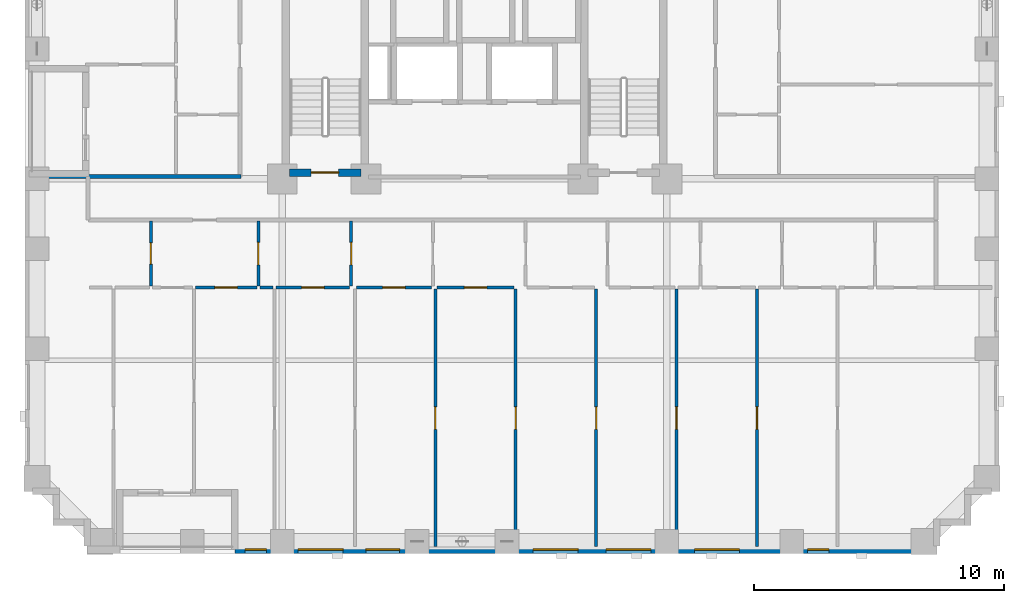
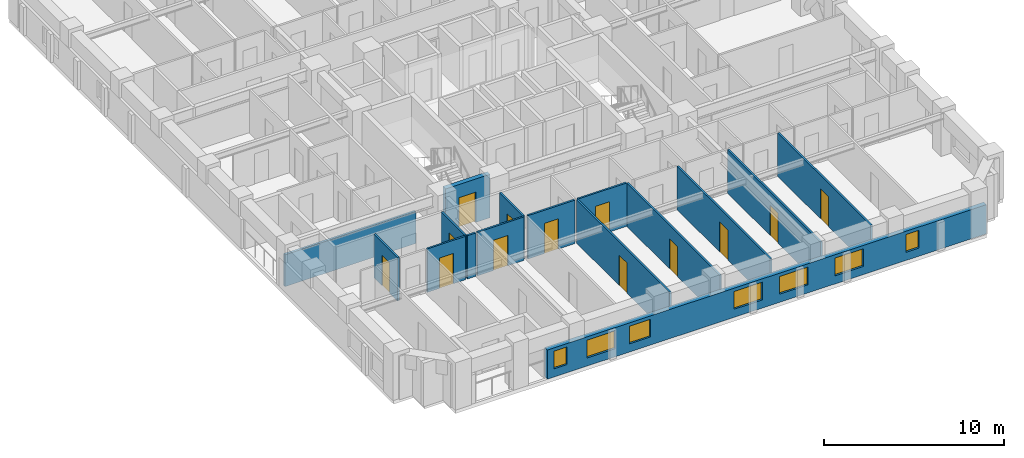
# One storey, part 3 of 14: 16 walls, 13 doors, 7 windows, 20 openings.
"""IFC4 building model written with IfcOpenShell, lengths in metres."""

from ifc_helpers import new_model, si_unit, derived_unit, direction, frame, frame_2d, origin, place, context, subcontext, project, spatial, rectangle, extrude, material, layer, layer_set, type_object, element, fill, save


model = new_model("IFC4")

# Units and contexts
model_context = context("Model", 3, precision=1e-05, world=origin(), true_north=direction((0.0, 1.0)))
body_context = subcontext(model_context, "Body", "Model", "MODEL_VIEW")
ifc_project = project(units=[si_unit("LENGTHUNIT", "METRE"), si_unit("AREAUNIT", "SQUARE_METRE"), si_unit("VOLUMEUNIT", "CUBIC_METRE"), si_unit("PLANEANGLEUNIT", "RADIAN"), si_unit("MASSUNIT", "GRAM", prefix="KILO"), derived_unit("THERMALTRANSMITTANCEUNIT", [(si_unit("MASSUNIT", "GRAM", prefix="KILO"), 1), (si_unit("TIMEUNIT", "SECOND"), -3), (si_unit("THERMODYNAMICTEMPERATUREUNIT", "KELVIN"), -1)])], contexts=[model_context])

# Site, building, storey
site_placement = place(None, origin())
site = spatial("IfcSite", under=ifc_project, at=site_placement, CompositionType="ELEMENT")
building_placement = place(site_placement, origin())
building = spatial("IfcBuilding", under=site, at=building_placement, Name="Korrvale Station Residences", CompositionType="ELEMENT")
storey_placement = place(building_placement, frame((0.0, 0.0, 29.0)))
storey = spatial("IfcBuildingStorey", under=building, at=storey_placement, Name="L06", CompositionType="ELEMENT", Elevation=29.0)

# Wall, opening, door
ifc_material_1 = material(Name="Concrete C70/85", Category="concrete")
ifc_layer_1 = layer(ifc_material_1, 0.300048828125, Name="Concrete C70/85")
ifc_layer_set_1 = layer_set([ifc_layer_1], Name="Concrete C70/85")
wall_type_1 = type_object("IfcWallType", Name="WAL-CORE-300-C70", PredefinedType="SHEAR", material=ifc_layer_set_1)
wall_1_placement = place(storey_placement, frame((18.10009765625, 15.25, 0.0), z_axis=(0.0, 0.0, 1.0), x_axis=(1.0, 0.0, 0.0)))
wall_1 = element("IfcWall", 1, at=wall_1_placement, inside=storey, type_object=wall_type_1, Name="L06 ST-1 Core Shear Wall South", PredefinedType="SHEAR", context=body_context, shape_type="SweptSolid", body=[
    extrude(rectangle(XDim=2.849853515625, YDim=0.300048828125, at=frame_2d((1.4248046875, 0.0))), origin(), (0.0, 0.0, 1.0), 2.93994140625),
])
opening_1_placement = place(wall_1_placement, frame((0.860107421875, 0.0, 0.0)))
opening_1 = element("IfcOpeningElement", 2, at=opening_1_placement, cuts=wall_1, Name="Opening SD-1100", PredefinedType="OPENING", context=body_context, shape_type="SweptSolid", body=[
    extrude(rectangle(XDim=1.10009765625, YDim=2.050048828125, at=frame_2d((0.550048828125, 1.02490234375))), frame((0.0, 0.16015625, 0.0), z_axis=(0.0, -1.0, 0.0), x_axis=(1.0, 0.0, 0.0)), (0.0, 0.0, 1.0), 0.320068359375),
])
ifc_material_2 = material(Name="Hollow-metal fire-rated stair door with closer", Category="steel")
door_type_1 = type_object("IfcDoorType", Name="DR-STAIR-1100", OperationType="NOTDEFINED", PredefinedType="DOOR", material=ifc_material_2)
door_1_placement = place(opening_1_placement, origin())
door_1 = element("IfcDoor", 3, at=door_1_placement, inside=storey, type_object=door_type_1, Name="L06 ST-1 Exit Stair Door", OperationType="SINGLE_SWING_LEFT", OverallHeight=2.050048828125, OverallWidth=1.10009765625, PredefinedType="DOOR", context=body_context, shape_type="SweptSolid", body=[
    extrude(rectangle(XDim=1.10009765625, YDim=2.050048828125, at=frame_2d((0.550048828125, 1.02490234375))), frame((0.0, 0.02490234375, 0.0), z_axis=(0.0, -1.0, 0.0), x_axis=(1.0, 0.0, 0.0)), (0.0, 0.0, 1.0), 0.050048828125),
])
fill(opening_1, door_1)

# Wall, openings, windows
ifc_material_3 = material(Name="Precast concrete C45/55", Category="concrete")
ifc_layer_2 = layer(ifc_material_3, 0.300048828125, Name="Precast concrete C45/55")
ifc_layer_set_2 = layer_set([ifc_layer_2], Name="Precast concrete C45/55")
wall_type_2 = type_object("IfcWallType", Name="WAL-EXT-PC300", PredefinedType="SOLIDWALL", material=ifc_layer_set_2)
wall_2_placement = place(storey_placement, frame((44.0, 0.14990234375, 0.0), z_axis=(0.0, 0.0, 1.0), x_axis=(-1.0, 0.0, 0.0)))
wall_2 = element("IfcWall", 4, at=wall_2_placement, inside=storey, type_object=wall_type_2, Name="L06 South Exterior Precast Wall 1", PredefinedType="SOLIDWALL", context=body_context, shape_type="SweptSolid", body=[
    extrude(rectangle(XDim=28.10009765625, YDim=0.300048828125, at=frame_2d((14.050048828125, 0.0))), origin(), (0.0, 0.0, 1.0), 1.97509765625),
])
opening_2_placement = place(wall_2_placement, frame((26.8349609375, 0.0, 0.550048828125)))
opening_2 = element("IfcOpeningElement", 5, at=opening_2_placement, cuts=wall_2, Name="Opening W-11", PredefinedType="OPENING", context=body_context, shape_type="SweptSolid", body=[
    extrude(rectangle(XDim=0.85009765625, YDim=1.199951171875, at=frame_2d((0.425048828125, 0.60009765625))), frame((0.0, 0.16015625, 0.0), z_axis=(0.0, -1.0, 0.0), x_axis=(1.0, 0.0, 0.0)), (0.0, 0.0, 1.0), 0.320068359375),
])
opening_3_placement = place(wall_2_placement, frame((23.764892578125, 0.0, 0.550048828125)))
opening_3 = element("IfcOpeningElement", 6, at=opening_3_placement, cuts=wall_2, Name="Opening W-09", PredefinedType="OPENING", context=body_context, shape_type="SweptSolid", body=[
    extrude(rectangle(XDim=1.800048828125, YDim=1.199951171875, at=frame_2d((0.89990234375, 0.60009765625))), frame((0.0, 0.16015625, 0.0), z_axis=(0.0, -1.0, 0.0), x_axis=(1.0, 0.0, 0.0)), (0.0, 0.0, 1.0), 0.320068359375),
])
opening_4_placement = place(wall_2_placement, frame((21.5, 0.0, 0.550048828125)))
opening_4 = element("IfcOpeningElement", 7, at=opening_4_placement, cuts=wall_2, Name="Opening W-10", PredefinedType="OPENING", context=body_context, shape_type="SweptSolid", body=[
    extrude(rectangle(XDim=1.35009765625, YDim=1.199951171875, at=frame_2d((0.675048828125, 0.60009765625))), frame((0.0, 0.16015625, 0.0), z_axis=(0.0, -1.0, 0.0), x_axis=(1.0, 0.0, 0.0)), (0.0, 0.0, 1.0), 0.320068359375),
])
opening_5_placement = place(wall_2_placement, frame((14.35205078125, 0.0, 0.550048828125)))
opening_5 = element("IfcOpeningElement", 8, at=opening_5_placement, cuts=wall_2, Name="Opening W-09", PredefinedType="OPENING", context=body_context, shape_type="SweptSolid", body=[
    extrude(rectangle(XDim=1.800048828125, YDim=1.199951171875, at=frame_2d((0.89990234375, 0.60009765625))), frame((0.0, 0.16015625, 0.0), z_axis=(0.0, -1.0, 0.0), x_axis=(1.0, 0.0, 0.0)), (0.0, 0.0, 1.0), 0.320068359375),
])
opening_6_placement = place(wall_2_placement, frame((11.43505859375, 0.0, 0.550048828125)))
opening_6 = element("IfcOpeningElement", 9, at=opening_6_placement, cuts=wall_2, Name="Opening W-09", PredefinedType="OPENING", context=body_context, shape_type="SweptSolid", body=[
    extrude(rectangle(XDim=1.800048828125, YDim=1.199951171875, at=frame_2d((0.89990234375, 0.60009765625))), frame((0.0, 0.16015625, 0.0), z_axis=(0.0, -1.0, 0.0), x_axis=(1.0, 0.0, 0.0)), (0.0, 0.0, 1.0), 0.320068359375),
])
opening_7_placement = place(wall_2_placement, frame((7.89111328125, 0.0, 0.550048828125)))
opening_7 = element("IfcOpeningElement", 10, at=opening_7_placement, cuts=wall_2, Name="Opening W-09", PredefinedType="OPENING", context=body_context, shape_type="SweptSolid", body=[
    extrude(rectangle(XDim=1.800048828125, YDim=1.199951171875, at=frame_2d((0.89990234375, 0.60009765625))), frame((0.0, 0.16015625, 0.0), z_axis=(0.0, -1.0, 0.0), x_axis=(1.0, 0.0, 0.0)), (0.0, 0.0, 1.0), 0.320068359375),
])
opening_8_placement = place(wall_2_placement, frame((4.31494140625, 0.0, 0.550048828125)))
opening_8 = element("IfcOpeningElement", 11, at=opening_8_placement, cuts=wall_2, Name="Opening W-11", PredefinedType="OPENING", context=body_context, shape_type="SweptSolid", body=[
    extrude(rectangle(XDim=0.85009765625, YDim=1.199951171875, at=frame_2d((0.425048828125, 0.60009765625))), frame((0.0, 0.16015625, 0.0), z_axis=(0.0, -1.0, 0.0), x_axis=(1.0, 0.0, 0.0)), (0.0, 0.0, 1.0), 0.320068359375),
])
ifc_material_4 = material(Name="Thermally broken aluminium frame with triple low-e glazing", Category="aluminium")
window_type_1 = type_object("IfcWindowType", Name="WIN-W09", PartitioningType="DOUBLE_PANEL_VERTICAL", PredefinedType="WINDOW", material=ifc_material_4)
window_1_placement = place(opening_3_placement, origin())
window_1 = element("IfcWindow", 12, at=window_1_placement, inside=storey, type_object=window_type_1, Name="L06 Punched Window 05", OverallHeight=1.199951171875, OverallWidth=1.800048828125, PartitioningType="DOUBLE_PANEL_VERTICAL", PredefinedType="WINDOW", context=body_context, shape_type="SweptSolid", body=[
    extrude(rectangle(XDim=1.800048828125, YDim=1.199951171875, at=frame_2d((0.89990234375, 0.60009765625))), frame((0.0, 0.030029296875, 0.0), z_axis=(0.0, -1.0, 0.0), x_axis=(1.0, 0.0, 0.0)), (0.0, 0.0, 1.0), 0.06005859375),
])
fill(opening_3, window_1)
window_2_placement = place(opening_5_placement, origin())
window_2 = element("IfcWindow", 13, at=window_2_placement, inside=storey, type_object=window_type_1, Name="L06 Punched Window 07", OverallHeight=1.199951171875, OverallWidth=1.800048828125, PartitioningType="DOUBLE_PANEL_VERTICAL", PredefinedType="WINDOW", context=body_context, shape_type="SweptSolid", body=[
    extrude(rectangle(XDim=1.800048828125, YDim=1.199951171875, at=frame_2d((0.89990234375, 0.60009765625))), frame((0.0, 0.030029296875, 0.0), z_axis=(0.0, -1.0, 0.0), x_axis=(1.0, 0.0, 0.0)), (0.0, 0.0, 1.0), 0.06005859375),
])
fill(opening_5, window_2)
window_3_placement = place(opening_6_placement, origin())
window_3 = element("IfcWindow", 14, at=window_3_placement, inside=storey, type_object=window_type_1, Name="L06 Punched Window 08", OverallHeight=1.199951171875, OverallWidth=1.800048828125, PartitioningType="DOUBLE_PANEL_VERTICAL", PredefinedType="WINDOW", context=body_context, shape_type="SweptSolid", body=[
    extrude(rectangle(XDim=1.800048828125, YDim=1.199951171875, at=frame_2d((0.89990234375, 0.60009765625))), frame((0.0, 0.030029296875, 0.0), z_axis=(0.0, -1.0, 0.0), x_axis=(1.0, 0.0, 0.0)), (0.0, 0.0, 1.0), 0.06005859375),
])
fill(opening_6, window_3)
window_4_placement = place(opening_7_placement, origin())
window_4 = element("IfcWindow", 15, at=window_4_placement, inside=storey, type_object=window_type_1, Name="L06 Punched Window 09", OverallHeight=1.199951171875, OverallWidth=1.800048828125, PartitioningType="DOUBLE_PANEL_VERTICAL", PredefinedType="WINDOW", context=body_context, shape_type="SweptSolid", body=[
    extrude(rectangle(XDim=1.800048828125, YDim=1.199951171875, at=frame_2d((0.89990234375, 0.60009765625))), frame((0.0, 0.030029296875, 0.0), z_axis=(0.0, -1.0, 0.0), x_axis=(1.0, 0.0, 0.0)), (0.0, 0.0, 1.0), 0.06005859375),
])
fill(opening_7, window_4)
window_type_2 = type_object("IfcWindowType", Name="WIN-W10", PartitioningType="SINGLE_PANEL", PredefinedType="WINDOW", material=ifc_material_4)
window_5_placement = place(opening_4_placement, origin())
window_5 = element("IfcWindow", 16, at=window_5_placement, inside=storey, type_object=window_type_2, Name="L06 Punched Window 06", OverallHeight=1.199951171875, OverallWidth=1.35009765625, PartitioningType="SINGLE_PANEL", PredefinedType="WINDOW", context=body_context, shape_type="SweptSolid", body=[
    extrude(rectangle(XDim=1.35009765625, YDim=1.199951171875, at=frame_2d((0.675048828125, 0.60009765625))), frame((0.0, 0.030029296875, 0.0), z_axis=(0.0, -1.0, 0.0), x_axis=(1.0, 0.0, 0.0)), (0.0, 0.0, 1.0), 0.06005859375),
])
fill(opening_4, window_5)
window_type_3 = type_object("IfcWindowType", Name="WIN-W11", PartitioningType="SINGLE_PANEL", PredefinedType="WINDOW", material=ifc_material_4)
window_6_placement = place(opening_2_placement, origin())
window_6 = element("IfcWindow", 17, at=window_6_placement, inside=storey, type_object=window_type_3, Name="L06 Punched Window 04", OverallHeight=1.199951171875, OverallWidth=0.85009765625, PartitioningType="SINGLE_PANEL", PredefinedType="WINDOW", context=body_context, shape_type="SweptSolid", body=[
    extrude(rectangle(XDim=0.85009765625, YDim=1.199951171875, at=frame_2d((0.425048828125, 0.60009765625))), frame((0.0, 0.030029296875, 0.0), z_axis=(0.0, -1.0, 0.0), x_axis=(1.0, 0.0, 0.0)), (0.0, 0.0, 1.0), 0.06005859375),
])
fill(opening_2, window_6)
window_7_placement = place(opening_8_placement, origin())
window_7 = element("IfcWindow", 18, at=window_7_placement, inside=storey, type_object=window_type_3, Name="L06 Punched Window 10", OverallHeight=1.199951171875, OverallWidth=0.85009765625, PartitioningType="SINGLE_PANEL", PredefinedType="WINDOW", context=body_context, shape_type="SweptSolid", body=[
    extrude(rectangle(XDim=0.85009765625, YDim=1.199951171875, at=frame_2d((0.425048828125, 0.60009765625))), frame((0.0, 0.030029296875, 0.0), z_axis=(0.0, -1.0, 0.0), x_axis=(1.0, 0.0, 0.0)), (0.0, 0.0, 1.0), 0.06005859375),
])
fill(opening_8, window_7)

# Wall, opening, door
ifc_material_5 = material(Name="Acoustic steel-stud gypsum board partition", Category="steel")
ifc_layer_3 = layer(ifc_material_5, 0.1201171875, Name="Acoustic steel-stud gypsum board partition")
ifc_layer_set_3 = layer_set([ifc_layer_3], Name="Acoustic steel-stud gypsum board partition")
wall_type_3 = type_object("IfcWallType", Name="WAL-PART-125", PredefinedType="PARTITIONING", material=ifc_layer_set_3)
wall_3_placement = place(storey_placement, frame((12.5400390625, 10.7099609375, 0.0), z_axis=(0.0, 0.0, 1.0), x_axis=(0.0, 1.0, 0.0)))
wall_3 = element("IfcWall", 19, at=wall_3_placement, inside=storey, type_object=wall_type_3, Name="L06 Suite Partition U01-V01", PredefinedType="PARTITIONING", context=body_context, shape_type="SweptSolid", body=[
    extrude(rectangle(XDim=2.60009765625, YDim=0.1201171875, at=frame_2d((1.300048828125, 0.0))), origin(), (0.0, 0.0, 1.0), 2.93994140625),
])
opening_9_placement = place(wall_3_placement, frame((0.8701171875, 0.0, 0.0)))
opening_9 = element("IfcOpeningElement", 20, at=opening_9_placement, cuts=wall_3, Name="Opening DB-860", PredefinedType="OPENING", context=body_context, shape_type="SweptSolid", body=[
    extrude(rectangle(XDim=0.860107421875, YDim=2.050048828125, at=frame_2d((0.43017578125, 1.02490234375))), frame((0.0, 0.070068359375, 0.0), z_axis=(0.0, -1.0, 0.0), x_axis=(1.0, 0.0, 0.0)), (0.0, 0.0, 1.0), 0.14013671875),
])
ifc_material_6 = material(Name="Moisture-resistant solid-core bathroom door", Category="timber")
door_type_2 = type_object("IfcDoorType", Name="DR-BATH-860", OperationType="NOTDEFINED", PredefinedType="DOOR", material=ifc_material_6)
door_2_placement = place(opening_9_placement, origin())
door_2 = element("IfcDoor", 21, at=door_2_placement, inside=storey, type_object=door_type_2, Name="L06 Studio Apartment L06-U01 Bathroom Door", OperationType="SINGLE_SWING_RIGHT", OverallHeight=2.050048828125, OverallWidth=0.860107421875, PredefinedType="DOOR", context=body_context, shape_type="SweptSolid", body=[
    extrude(rectangle(XDim=0.860107421875, YDim=2.050048828125, at=frame_2d((0.43017578125, 1.02490234375))), frame((0.0, 0.02490234375, 0.0), z_axis=(0.0, -1.0, 0.0), x_axis=(1.0, 0.0, 0.0)), (0.0, 0.0, 1.0), 0.050048828125),
])
fill(opening_9, door_2)

wall_4_placement = place(storey_placement, frame((16.840087890625, 10.7099609375, 0.0), z_axis=(0.0, 0.0, 1.0), x_axis=(0.0, 1.0, 0.0)))
wall_4 = element("IfcWall", 22, at=wall_4_placement, inside=storey, type_object=wall_type_3, Name="L06 Suite Partition U01-V12", PredefinedType="PARTITIONING", context=body_context, shape_type="SweptSolid", body=[
    extrude(rectangle(XDim=2.60009765625, YDim=0.1201171875, at=frame_2d((1.300048828125, 0.0))), origin(), (0.0, 0.0, 1.0), 2.93994140625),
])
opening_10_placement = place(wall_4_placement, frame((0.85009765625, 0.0, 0.0)))
opening_10 = element("IfcOpeningElement", 23, at=opening_10_placement, cuts=wall_4, Name="Opening DI-900", PredefinedType="OPENING", context=body_context, shape_type="SweptSolid", body=[
    extrude(rectangle(XDim=0.89990234375, YDim=2.050048828125, at=frame_2d((0.449951171875, 1.02490234375))), frame((0.0, 0.070068359375, 0.0), z_axis=(0.0, -1.0, 0.0), x_axis=(1.0, 0.0, 0.0)), (0.0, 0.0, 1.0), 0.14013671875),
])
ifc_material_7 = material(Name="Painted solid-core timber interior room door", Category="wood")
door_type_3 = type_object("IfcDoorType", Name="DR-INT-900", OperationType="NOTDEFINED", PredefinedType="DOOR", material=ifc_material_7)
door_3_placement = place(opening_10_placement, origin())
door_3 = element("IfcDoor", 24, at=door_3_placement, inside=storey, type_object=door_type_3, Name="L06 Studio Apartment L06-U01 Kitchen Door", OperationType="SINGLE_SWING_LEFT", OverallHeight=2.050048828125, OverallWidth=0.89990234375, PredefinedType="DOOR", context=body_context, shape_type="SweptSolid", body=[
    extrude(rectangle(XDim=0.89990234375, YDim=2.050048828125, at=frame_2d((0.449951171875, 1.02490234375))), frame((0.0, 0.02490234375, 0.0), z_axis=(0.0, -1.0, 0.0), x_axis=(1.0, 0.0, 0.0)), (0.0, 0.0, 1.0), 0.050048828125),
])
fill(opening_10, door_3)

wall_5_placement = place(storey_placement, frame((14.330078125, 10.64990234375, 0.0), z_axis=(0.0, 0.0, 1.0), x_axis=(1.0, 0.0, 0.0)))
wall_5 = element("IfcWall", 25, at=wall_5_placement, inside=storey, type_object=wall_type_3, Name="L06 Suite Partition U01-H112", PredefinedType="PARTITIONING", context=body_context, shape_type="SweptSolid", body=[
    extrude(rectangle(XDim=2.449951171875, YDim=0.1201171875, at=frame_2d((1.22509765625, 0.0))), origin(), (0.0, 0.0, 1.0), 2.93994140625),
])
opening_11_placement = place(wall_5_placement, frame((0.77490234375, 0.0, 0.0)))
opening_11 = element("IfcOpeningElement", 26, at=opening_11_placement, cuts=wall_5, Name="Opening DI-900", PredefinedType="OPENING", context=body_context, shape_type="SweptSolid", body=[
    extrude(rectangle(XDim=0.89990234375, YDim=2.050048828125, at=frame_2d((0.449951171875, 1.02490234375))), frame((0.0, 0.070068359375, 0.0), z_axis=(0.0, -1.0, 0.0), x_axis=(1.0, 0.0, 0.0)), (0.0, 0.0, 1.0), 0.14013671875),
])
door_4_placement = place(opening_11_placement, origin())
door_4 = element("IfcDoor", 27, at=door_4_placement, inside=storey, type_object=door_type_3, Name="L06 Studio Apartment L06-U01 Kitchen Door", OperationType="SINGLE_SWING_LEFT", OverallHeight=2.050048828125, OverallWidth=0.89990234375, PredefinedType="DOOR", context=body_context, shape_type="SweptSolid", body=[
    extrude(rectangle(XDim=0.89990234375, YDim=2.050048828125, at=frame_2d((0.449951171875, 1.02490234375))), frame((0.0, 0.02490234375, 0.0), z_axis=(0.0, -1.0, 0.0), x_axis=(1.0, 0.0, 0.0)), (0.0, 0.0, 1.0), 0.050048828125),
])
fill(opening_11, door_4)

wall_6_placement = place(storey_placement, frame((20.56005859375, 10.7099609375, 0.0), z_axis=(0.0, 0.0, 1.0), x_axis=(0.0, 1.0, 0.0)))
wall_6 = element("IfcWall", 28, at=wall_6_placement, inside=storey, type_object=wall_type_3, Name="L06 Suite Partition U01-V23", PredefinedType="PARTITIONING", context=body_context, shape_type="SweptSolid", body=[
    extrude(rectangle(XDim=2.60009765625, YDim=0.1201171875, at=frame_2d((1.300048828125, 0.0))), origin(), (0.0, 0.0, 1.0), 2.93994140625),
])
opening_12_placement = place(wall_6_placement, frame((0.85009765625, 0.0, 0.0)))
opening_12 = element("IfcOpeningElement", 29, at=opening_12_placement, cuts=wall_6, Name="Opening DI-900", PredefinedType="OPENING", context=body_context, shape_type="SweptSolid", body=[
    extrude(rectangle(XDim=0.89990234375, YDim=2.050048828125, at=frame_2d((0.449951171875, 1.02490234375))), frame((0.0, 0.070068359375, 0.0), z_axis=(0.0, -1.0, 0.0), x_axis=(1.0, 0.0, 0.0)), (0.0, 0.0, 1.0), 0.14013671875),
])
door_5_placement = place(opening_12_placement, origin())
door_5 = element("IfcDoor", 30, at=door_5_placement, inside=storey, type_object=door_type_3, Name="L06 Studio Apartment L06-U01 Utility and Laundry Room Door", OperationType="SINGLE_SWING_RIGHT", OverallHeight=2.050048828125, OverallWidth=0.89990234375, PredefinedType="DOOR", context=body_context, shape_type="SweptSolid", body=[
    extrude(rectangle(XDim=0.89990234375, YDim=2.050048828125, at=frame_2d((0.449951171875, 1.02490234375))), frame((0.0, 0.02490234375, 0.0), z_axis=(0.0, -1.0, 0.0), x_axis=(1.0, 0.0, 0.0)), (0.0, 0.0, 1.0), 0.050048828125),
])
fill(opening_12, door_5)

# Wall
wall_7_placement = place(storey_placement, frame((16.89990234375, 10.64990234375, 0.0), z_axis=(0.0, 0.0, 1.0), x_axis=(1.0, 0.0, 0.0)))
element("IfcWall", 31, at=wall_7_placement, inside=storey, type_object=wall_type_3, Name="L06 Suite Partition U01-H212", PredefinedType="PARTITIONING", context=body_context, shape_type="SweptSolid", body=[
    extrude(rectangle(XDim=0.530029296875, YDim=0.1201171875, at=frame_2d((0.26513671875, 0.0))), origin(), (0.0, 0.0, 1.0), 2.93994140625),
])

# Wall, opening, door
wall_8_placement = place(storey_placement, frame((17.550048828125, 10.64990234375, 0.0), z_axis=(0.0, 0.0, 1.0), x_axis=(1.0, 0.0, 0.0)))
wall_8 = element("IfcWall", 32, at=wall_8_placement, inside=storey, type_object=wall_type_3, Name="L06 Suite Partition U01-H213", PredefinedType="PARTITIONING", context=body_context, shape_type="SweptSolid", body=[
    extrude(rectangle(XDim=2.949951171875, YDim=0.1201171875, at=frame_2d((1.47509765625, 0.0))), origin(), (0.0, 0.0, 1.0), 2.93994140625),
])
opening_13_placement = place(wall_8_placement, frame((1.02490234375, 0.0, 0.0)))
opening_13 = element("IfcOpeningElement", 33, at=opening_13_placement, cuts=wall_8, Name="Opening DI-900", PredefinedType="OPENING", context=body_context, shape_type="SweptSolid", body=[
    extrude(rectangle(XDim=0.89990234375, YDim=2.050048828125, at=frame_2d((0.449951171875, 1.02490234375))), frame((0.0, 0.070068359375, 0.0), z_axis=(0.0, -1.0, 0.0), x_axis=(1.0, 0.0, 0.0)), (0.0, 0.0, 1.0), 0.14013671875),
])
door_6_placement = place(opening_13_placement, origin())
door_6 = element("IfcDoor", 34, at=door_6_placement, inside=storey, type_object=door_type_3, Name="L06 Studio Apartment L06-U01 Utility and Laundry Room Door", OperationType="SINGLE_SWING_LEFT", OverallHeight=2.050048828125, OverallWidth=0.89990234375, PredefinedType="DOOR", context=body_context, shape_type="SweptSolid", body=[
    extrude(rectangle(XDim=0.89990234375, YDim=2.050048828125, at=frame_2d((0.449951171875, 1.02490234375))), frame((0.0, 0.02490234375, 0.0), z_axis=(0.0, -1.0, 0.0), x_axis=(1.0, 0.0, 0.0)), (0.0, 0.0, 1.0), 0.050048828125),
])
fill(opening_13, door_6)

wall_9_placement = place(storey_placement, frame((20.77001953125, 10.64990234375, 0.0), z_axis=(0.0, 0.0, 1.0), x_axis=(1.0, 0.0, 0.0)))
wall_9 = element("IfcWall", 35, at=wall_9_placement, inside=storey, type_object=wall_type_3, Name="L06 Suite Partition U01-H314", PredefinedType="PARTITIONING", context=body_context, shape_type="SweptSolid", body=[
    extrude(rectangle(XDim=3.0, YDim=0.1201171875, at=frame_2d((1.5, 0.0))), origin(), (0.0, 0.0, 1.0), 2.93994140625),
])
opening_14_placement = place(wall_9_placement, frame((1.050048828125, 0.0, 0.0)))
opening_14 = element("IfcOpeningElement", 36, at=opening_14_placement, cuts=wall_9, Name="Opening DI-900", PredefinedType="OPENING", context=body_context, shape_type="SweptSolid", body=[
    extrude(rectangle(XDim=0.89990234375, YDim=2.050048828125, at=frame_2d((0.449951171875, 1.02490234375))), frame((0.0, 0.070068359375, 0.0), z_axis=(0.0, -1.0, 0.0), x_axis=(1.0, 0.0, 0.0)), (0.0, 0.0, 1.0), 0.14013671875),
])
door_7_placement = place(opening_14_placement, origin())
door_7 = element("IfcDoor", 37, at=door_7_placement, inside=storey, type_object=door_type_3, Name="L06 Studio Apartment L06-U01 Storage Closet 2 Door", OperationType="SINGLE_SWING_LEFT", OverallHeight=2.050048828125, OverallWidth=0.89990234375, PredefinedType="DOOR", context=body_context, shape_type="SweptSolid", body=[
    extrude(rectangle(XDim=0.89990234375, YDim=2.050048828125, at=frame_2d((0.449951171875, 1.02490234375))), frame((0.0, 0.02490234375, 0.0), z_axis=(0.0, -1.0, 0.0), x_axis=(1.0, 0.0, 0.0)), (0.0, 0.0, 1.0), 0.050048828125),
])
fill(opening_14, door_7)

wall_10_placement = place(storey_placement, frame((23.989990234375, 10.64990234375, 0.0), z_axis=(0.0, 0.0, 1.0), x_axis=(1.0, 0.0, 0.0)))
wall_10 = element("IfcWall", 38, at=wall_10_placement, inside=storey, type_object=wall_type_3, Name="L06 Suite Partition U01-H415", PredefinedType="PARTITIONING", context=body_context, shape_type="SweptSolid", body=[
    extrude(rectangle(XDim=3.10009765625, YDim=0.1201171875, at=frame_2d((1.550048828125, 0.0))), origin(), (0.0, 0.0, 1.0), 2.93994140625),
])
opening_15_placement = place(wall_10_placement, frame((1.10009765625, 0.0, 0.0)))
opening_15 = element("IfcOpeningElement", 39, at=opening_15_placement, cuts=wall_10, Name="Opening DI-900", PredefinedType="OPENING", context=body_context, shape_type="SweptSolid", body=[
    extrude(rectangle(XDim=0.89990234375, YDim=2.050048828125, at=frame_2d((0.449951171875, 1.02490234375))), frame((0.0, 0.070068359375, 0.0), z_axis=(0.0, -1.0, 0.0), x_axis=(1.0, 0.0, 0.0)), (0.0, 0.0, 1.0), 0.14013671875),
])
door_8_placement = place(opening_15_placement, origin())
door_8 = element("IfcDoor", 40, at=door_8_placement, inside=storey, type_object=door_type_3, Name="L06 Studio Apartment L06-U01 Storage Closet 3 Door", OperationType="SINGLE_SWING_LEFT", OverallHeight=2.050048828125, OverallWidth=0.89990234375, PredefinedType="DOOR", context=body_context, shape_type="SweptSolid", body=[
    extrude(rectangle(XDim=0.89990234375, YDim=2.050048828125, at=frame_2d((0.449951171875, 1.02490234375))), frame((0.0, 0.02490234375, 0.0), z_axis=(0.0, -1.0, 0.0), x_axis=(1.0, 0.0, 0.0)), (0.0, 0.0, 1.0), 0.050048828125),
])
fill(opening_15, door_8)

wall_11_placement = place(storey_placement, frame((23.929931640625, 0.280029296875, 0.0), z_axis=(0.0, 0.0, 1.0), x_axis=(0.0, 1.0, 0.0)))
wall_11 = element("IfcWall", 41, at=wall_11_placement, inside=storey, type_object=wall_type_3, Name="L06 Suite Partition U01-V1415", PredefinedType="PARTITIONING", context=body_context, shape_type="SweptSolid", body=[
    extrude(rectangle(XDim=10.31005859375, YDim=0.1201171875, at=frame_2d((5.155029296875, 0.0))), origin(), (0.0, 0.0, 1.0), 2.93994140625),
])
opening_16_placement = place(wall_11_placement, frame((4.68994140625, 0.0, 0.0)))
opening_16 = element("IfcOpeningElement", 42, at=opening_16_placement, cuts=wall_11, Name="Opening DI-900", PredefinedType="OPENING", context=body_context, shape_type="SweptSolid", body=[
    extrude(rectangle(XDim=0.89990234375, YDim=2.050048828125, at=frame_2d((0.449951171875, 1.02490234375))), frame((0.0, 0.070068359375, 0.0), z_axis=(0.0, -1.0, 0.0), x_axis=(1.0, 0.0, 0.0)), (0.0, 0.0, 1.0), 0.14013671875),
])
door_9_placement = place(opening_16_placement, origin())
door_9 = element("IfcDoor", 43, at=door_9_placement, inside=storey, type_object=door_type_3, Name="L06 Studio Apartment L06-U01 Formal Dining Room Door", OperationType="SINGLE_SWING_RIGHT", OverallHeight=2.050048828125, OverallWidth=0.89990234375, PredefinedType="DOOR", context=body_context, shape_type="SweptSolid", body=[
    extrude(rectangle(XDim=0.89990234375, YDim=2.050048828125, at=frame_2d((0.449951171875, 1.02490234375))), frame((0.0, 0.02490234375, 0.0), z_axis=(0.0, -1.0, 0.0), x_axis=(1.0, 0.0, 0.0)), (0.0, 0.0, 1.0), 0.050048828125),
])
fill(opening_16, door_9)

wall_12_placement = place(storey_placement, frame((27.14990234375, 0.280029296875, 0.0), z_axis=(0.0, 0.0, 1.0), x_axis=(0.0, 1.0, 0.0)))
wall_12 = element("IfcWall", 44, at=wall_12_placement, inside=storey, type_object=wall_type_3, Name="L06 Suite Partition U01-V1516", PredefinedType="PARTITIONING", context=body_context, shape_type="SweptSolid", body=[
    extrude(rectangle(XDim=10.31005859375, YDim=0.1201171875, at=frame_2d((5.155029296875, 0.0))), origin(), (0.0, 0.0, 1.0), 2.93994140625),
])
opening_17_placement = place(wall_12_placement, frame((4.68994140625, 0.0, 0.0)))
opening_17 = element("IfcOpeningElement", 45, at=opening_17_placement, cuts=wall_12, Name="Opening DI-900", PredefinedType="OPENING", context=body_context, shape_type="SweptSolid", body=[
    extrude(rectangle(XDim=0.89990234375, YDim=2.050048828125, at=frame_2d((0.449951171875, 1.02490234375))), frame((0.0, 0.070068359375, 0.0), z_axis=(0.0, -1.0, 0.0), x_axis=(1.0, 0.0, 0.0)), (0.0, 0.0, 1.0), 0.14013671875),
])
door_10_placement = place(opening_17_placement, origin())
door_10 = element("IfcDoor", 46, at=door_10_placement, inside=storey, type_object=door_type_3, Name="L06 Studio Apartment L06-U01 Walk-In Wardrobe Door", OperationType="SINGLE_SWING_LEFT", OverallHeight=2.050048828125, OverallWidth=0.89990234375, PredefinedType="DOOR", context=body_context, shape_type="SweptSolid", body=[
    extrude(rectangle(XDim=0.89990234375, YDim=2.050048828125, at=frame_2d((0.449951171875, 1.02490234375))), frame((0.0, 0.02490234375, 0.0), z_axis=(0.0, -1.0, 0.0), x_axis=(1.0, 0.0, 0.0)), (0.0, 0.0, 1.0), 0.050048828125),
])
fill(opening_17, door_10)

wall_13_placement = place(storey_placement, frame((30.3701171875, 0.280029296875, 0.0), z_axis=(0.0, 0.0, 1.0), x_axis=(0.0, 1.0, 0.0)))
wall_13 = element("IfcWall", 47, at=wall_13_placement, inside=storey, type_object=wall_type_3, Name="L06 Suite Partition U01-V1617", PredefinedType="PARTITIONING", context=body_context, shape_type="SweptSolid", body=[
    extrude(rectangle(XDim=10.31005859375, YDim=0.1201171875, at=frame_2d((5.155029296875, 0.0))), origin(), (0.0, 0.0, 1.0), 2.93994140625),
])
opening_18_placement = place(wall_13_placement, frame((4.68994140625, 0.0, 0.0)))
opening_18 = element("IfcOpeningElement", 48, at=opening_18_placement, cuts=wall_13, Name="Opening DI-900", PredefinedType="OPENING", context=body_context, shape_type="SweptSolid", body=[
    extrude(rectangle(XDim=0.89990234375, YDim=2.050048828125, at=frame_2d((0.449951171875, 1.02490234375))), frame((0.0, 0.070068359375, 0.0), z_axis=(0.0, -1.0, 0.0), x_axis=(1.0, 0.0, 0.0)), (0.0, 0.0, 1.0), 0.14013671875),
])
door_11_placement = place(opening_18_placement, origin())
door_11 = element("IfcDoor", 49, at=door_11_placement, inside=storey, type_object=door_type_3, Name="L06 Studio Apartment L06-U01 Formal Dining Room Door", OperationType="SINGLE_SWING_RIGHT", OverallHeight=2.050048828125, OverallWidth=0.89990234375, PredefinedType="DOOR", context=body_context, shape_type="SweptSolid", body=[
    extrude(rectangle(XDim=0.89990234375, YDim=2.050048828125, at=frame_2d((0.449951171875, 1.02490234375))), frame((0.0, 0.02490234375, 0.0), z_axis=(0.0, -1.0, 0.0), x_axis=(1.0, 0.0, 0.0)), (0.0, 0.0, 1.0), 0.050048828125),
])
fill(opening_18, door_11)

wall_14_placement = place(storey_placement, frame((33.590087890625, 0.280029296875, 0.0), z_axis=(0.0, 0.0, 1.0), x_axis=(0.0, 1.0, 0.0)))
wall_14 = element("IfcWall", 50, at=wall_14_placement, inside=storey, type_object=wall_type_3, Name="L06 Suite Partition U01-V1718", PredefinedType="PARTITIONING", context=body_context, shape_type="SweptSolid", body=[
    extrude(rectangle(XDim=10.31005859375, YDim=0.1201171875, at=frame_2d((5.155029296875, 0.0))), origin(), (0.0, 0.0, 1.0), 2.93994140625),
])
opening_19_placement = place(wall_14_placement, frame((4.68994140625, 0.0, 0.0)))
opening_19 = element("IfcOpeningElement", 51, at=opening_19_placement, cuts=wall_14, Name="Opening DI-900", PredefinedType="OPENING", context=body_context, shape_type="SweptSolid", body=[
    extrude(rectangle(XDim=0.89990234375, YDim=2.050048828125, at=frame_2d((0.449951171875, 1.02490234375))), frame((0.0, 0.070068359375, 0.0), z_axis=(0.0, -1.0, 0.0), x_axis=(1.0, 0.0, 0.0)), (0.0, 0.0, 1.0), 0.14013671875),
])
door_12_placement = place(opening_19_placement, origin())
door_12 = element("IfcDoor", 52, at=door_12_placement, inside=storey, type_object=door_type_3, Name="L06 Studio Apartment L06-U01 Formal Dining Room Door", OperationType="SINGLE_SWING_LEFT", OverallHeight=2.050048828125, OverallWidth=0.89990234375, PredefinedType="DOOR", context=body_context, shape_type="SweptSolid", body=[
    extrude(rectangle(XDim=0.89990234375, YDim=2.050048828125, at=frame_2d((0.449951171875, 1.02490234375))), frame((0.0, 0.02490234375, 0.0), z_axis=(0.0, -1.0, 0.0), x_axis=(1.0, 0.0, 0.0)), (0.0, 0.0, 1.0), 0.050048828125),
])
fill(opening_19, door_12)

wall_15_placement = place(storey_placement, frame((36.81005859375, 0.280029296875, 0.0), z_axis=(0.0, 0.0, 1.0), x_axis=(0.0, 1.0, 0.0)))
wall_15 = element("IfcWall", 53, at=wall_15_placement, inside=storey, type_object=wall_type_3, Name="L06 Suite Partition U01-V1819", PredefinedType="PARTITIONING", context=body_context, shape_type="SweptSolid", body=[
    extrude(rectangle(XDim=10.31005859375, YDim=0.1201171875, at=frame_2d((5.155029296875, 0.0))), origin(), (0.0, 0.0, 1.0), 2.93994140625),
])
opening_20_placement = place(wall_15_placement, frame((4.68994140625, 0.0, 0.0)))
opening_20 = element("IfcOpeningElement", 54, at=opening_20_placement, cuts=wall_15, Name="Opening DI-900", PredefinedType="OPENING", context=body_context, shape_type="SweptSolid", body=[
    extrude(rectangle(XDim=0.89990234375, YDim=2.050048828125, at=frame_2d((0.449951171875, 1.02490234375))), frame((0.0, 0.070068359375, 0.0), z_axis=(0.0, -1.0, 0.0), x_axis=(1.0, 0.0, 0.0)), (0.0, 0.0, 1.0), 0.14013671875),
])
door_13_placement = place(opening_20_placement, origin())
door_13 = element("IfcDoor", 55, at=door_13_placement, inside=storey, type_object=door_type_3, Name="L06 Studio Apartment L06-U01 Formal Dining Room Door", OperationType="SINGLE_SWING_RIGHT", OverallHeight=2.050048828125, OverallWidth=0.89990234375, PredefinedType="DOOR", context=body_context, shape_type="SweptSolid", body=[
    extrude(rectangle(XDim=0.89990234375, YDim=2.050048828125, at=frame_2d((0.449951171875, 1.02490234375))), frame((0.0, 0.02490234375, 0.0), z_axis=(0.0, -1.0, 0.0), x_axis=(1.0, 0.0, 0.0)), (0.0, 0.0, 1.0), 0.050048828125),
])
fill(opening_20, door_13)

# Wall
ifc_material_8 = material(Name="Fire-rated twin-stud gypsum and mineral wool shaftwall assembly", Category="gypsum")
ifc_layer_4 = layer(ifc_material_8, 0.159912109375, Name="Fire-rated twin-stud gypsum and mineral wool shaftwall assembly")
ifc_layer_set_4 = layer_set([ifc_layer_4], Name="Fire-rated twin-stud gypsum and mineral wool shaftwall assembly")
wall_type_4 = type_object("IfcWallType", Name="WAL-PART-200", PredefinedType="PARTITIONING", material=ifc_layer_set_4)
wall_16_placement = place(storey_placement, frame((7.780029296875, 15.090087890625, 0.0), z_axis=(0.0, 0.0, 1.0), x_axis=(1.0, 0.0, 0.0)))
element("IfcWall", 56, at=wall_16_placement, inside=storey, type_object=wall_type_4, Name="L06 West Wing South Corridor Wall", PredefinedType="PARTITIONING", context=body_context, shape_type="SweptSolid", body=[
    extrude(rectangle(XDim=8.35986328125, YDim=0.159912109375, at=frame_2d((4.179931640625, 0.0))), origin(), (0.0, 0.0, 1.0), 2.155029296875),
])

save(model, "model.ifc")
